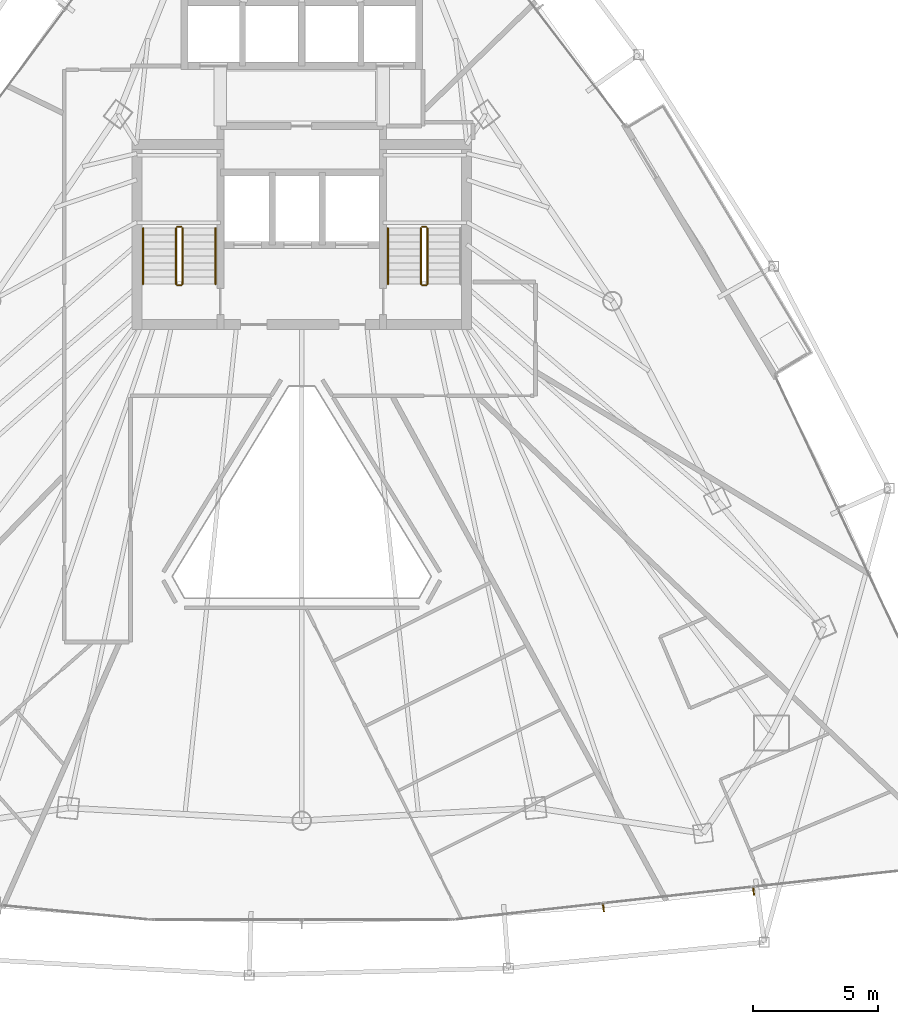
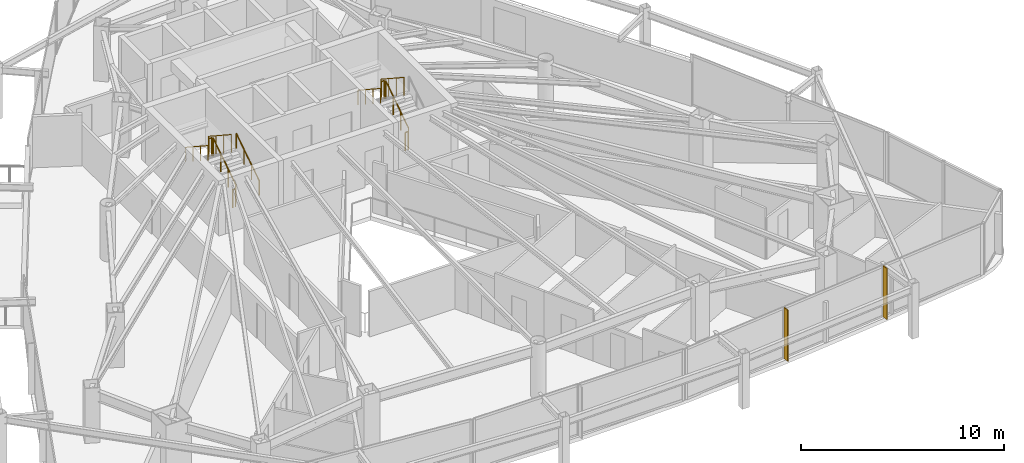
# One storey, part 30 of 31: 11 railings, 2 shading devices.
"""IFC4 building model written with IfcOpenShell, lengths in metres."""

from ifc_helpers import new_model, si_unit, direction, frame, origin, origin_2d, place, context, subcontext, project, spatial, rectangle, circle, extrude, material, layer, layer_set, type_object, element, save


model = new_model("IFC4")

# Units and contexts
model_context = context("Model", 3, precision=1e-05, world=origin(), true_north=direction((0.0, 1.0)))
body_context = subcontext(model_context, "Body", "Model", "MODEL_VIEW")
ifc_project = project(units=[si_unit("LENGTHUNIT", "METRE"), si_unit("AREAUNIT", "SQUARE_METRE"), si_unit("VOLUMEUNIT", "CUBIC_METRE"), si_unit("PLANEANGLEUNIT", "RADIAN"), si_unit("MASSUNIT", "GRAM", prefix="KILO")], contexts=[model_context])

# Site, building, storey
site_placement = place(None, origin())
site = spatial("IfcSite", under=ifc_project, at=site_placement, CompositionType="ELEMENT")
building_placement = place(site_placement, origin())
building = spatial("IfcBuilding", under=site, at=building_placement, Name="Orvanel Arch Residences", CompositionType="ELEMENT")
storey_placement = place(building_placement, frame((0.0, 0.0, 110.0)))
storey = spatial("IfcBuildingStorey", under=building, at=storey_placement, Name="L30", CompositionType="ELEMENT", Elevation=110.0)

# Shading devices
ifc_material_1 = material(Name="Bronze-anodised aluminium AA6063-T6", Category="aluminium")
ifc_layer = layer(ifc_material_1, 0.054931640625)
ifc_layer_set = layer_set([ifc_layer], Name="Bronze-anodised aluminium AA6063-T6")
shading_device_type = type_object("IfcShadingDeviceType", Name="FIN-BRZ-320", PredefinedType="USERDEFINED", material=ifc_layer_set)
for number, where, z_axis, x_axis, name in (
    (1, (45.073974609375, 3.35498046875, 0.0), (0.0, 0.0, 1.0), (0.109734311091, -0.993960955455, 0.0), "L30 Anodised Bronze Mullion FIN 01"),
    (2, (51.083984375, 4.014892578125, 0.0), (0.0, 0.0, 1.0), (0.109734311091, -0.993960955455, 0.0), "L30 Anodised Bronze Mullion FIN 02"),
):
    element("IfcShadingDevice", number, at=place(storey_placement, frame(where, z_axis=z_axis, x_axis=x_axis)), inside=storey, type_object=shading_device_type, Name=name, ObjectType="FIN", PredefinedType="USERDEFINED", context=body_context, shape_type="SweptSolid", body=[
        extrude(rectangle(XDim=0.320068359375, YDim=0.054931640625, at=origin_2d()), origin(), (0.0, 0.0, 1.0), 3.06005859375),
    ])

# Railings
ifc_material_2 = material(Name="Structural steel AS/NZS 1163 C350L0 (Grade 350)", Category="steel")
railing_type_1 = type_object("IfcRailingType", Name="RL-STAIR-GUARD", PredefinedType="GUARDRAIL", material=ifc_material_2)
railing_1_placement = place(storey_placement, frame((28.22998046875, 28.320068359375, 0.183349609375)))
element("IfcRailing", 3, at=railing_1_placement, inside=storey, type_object=railing_type_1, Name="L30 ST-1 stair guard 1", PredefinedType="GUARDRAIL", context=body_context, shape_type="SweptSolid", body=[
    extrude(circle(Radius=0.02392578125, at=origin_2d()), frame((0.0, 0.001220703125, 1.076904296875), z_axis=(0.0, 0.836636935527, 0.547757827979), x_axis=(-1.0, 0.0, 0.0)), (0.0, 0.0, 1.0), 2.67431640625),
    extrude(circle(Radius=0.02099609375, at=origin_2d()), origin(), (0.0, 0.0, 1.0), 1.050048828125),
    extrude(circle(Radius=0.02099609375, at=origin_2d()), frame((0.0, 0.74658203125, 0.48876953125)), (0.0, 0.0, 1.0), 1.050048828125),
    extrude(circle(Radius=0.02099609375, at=origin_2d()), frame((0.0, 1.493408203125, 0.977783203125)), (0.0, 0.0, 1.0), 1.050048828125),
    extrude(circle(Radius=0.02099609375, at=origin_2d()), frame((0.0, 2.239990234375, 1.466552734375)), (0.0, 0.0, 1.0), 1.050048828125),
])
railing_2_placement = place(storey_placement, frame((28.179931640625, 30.610107421875, 1.64990234375)))
element("IfcRailing", 4, at=railing_2_placement, inside=storey, type_object=railing_type_1, Name="L30 ST-1 stair guard 2", PredefinedType="GUARDRAIL", context=body_context, shape_type="SweptSolid", body=[
    extrude(circle(Radius=0.02392578125, at=origin_2d()), frame((-0.00146484375, 0.0, 1.076171875), z_axis=(-1.0, 0.0, 0.0), x_axis=(0.0, -1.0, 0.0)), (0.0, 0.0, 1.0), 0.156982421875),
    extrude(circle(Radius=0.02099609375, at=origin_2d()), origin(), (0.0, 0.0, 1.0), 1.050048828125),
    extrude(circle(Radius=0.02099609375, at=origin_2d()), frame((-0.159912109375, 0.0, 0.0)), (0.0, 0.0, 1.0), 1.050048828125),
])
railing_3_placement = place(storey_placement, frame((27.969970703125, 30.56005859375, 1.833251953125)))
element("IfcRailing", 5, at=railing_3_placement, inside=storey, type_object=railing_type_1, Name="L30 ST-1 stair guard 3", PredefinedType="GUARDRAIL", context=body_context, shape_type="SweptSolid", body=[
    extrude(circle(Radius=0.02392578125, at=origin_2d()), frame((0.0, -0.001220703125, 1.076904296875), z_axis=(0.0, -0.836595146698, 0.547821650285), x_axis=(1.0, 0.0, 0.0)), (0.0, 0.0, 1.0), 2.674560546875),
    extrude(circle(Radius=0.02099609375, at=origin_2d()), origin(), (0.0, 0.0, 1.0), 1.050048828125),
    extrude(circle(Radius=0.02099609375, at=origin_2d()), frame((0.0, -0.74658203125, 0.489013671875)), (0.0, 0.0, 1.0), 1.050048828125),
    extrude(circle(Radius=0.02099609375, at=origin_2d()), frame((0.0, -1.493408203125, 0.977783203125)), (0.0, 0.0, 1.0), 1.050048828125),
    extrude(circle(Radius=0.02099609375, at=origin_2d()), frame((0.0, -2.239990234375, 1.466796875)), (0.0, 0.0, 1.0), 1.050048828125),
])
railing_4_placement = place(storey_placement, frame((28.179931640625, 28.27001953125, 0.0)))
element("IfcRailing", 6, at=railing_4_placement, inside=storey, type_object=railing_type_1, Name="L30 ST-1 stair guard 4", PredefinedType="GUARDRAIL", context=body_context, shape_type="SweptSolid", body=[
    extrude(circle(Radius=0.02392578125, at=origin_2d()), frame((-0.00146484375, 0.0, 1.076171875), z_axis=(-1.0, 0.0, 0.0), x_axis=(0.0, -1.0, 0.0)), (0.0, 0.0, 1.0), 0.156982421875),
    extrude(circle(Radius=0.02099609375, at=origin_2d()), origin(), (0.0, 0.0, 1.0), 1.050048828125),
    extrude(circle(Radius=0.02099609375, at=origin_2d()), frame((-0.159912109375, 0.0, 0.0)), (0.0, 0.0, 1.0), 1.050048828125),
])
railing_5_placement = place(storey_placement, frame((38.030029296875, 28.320068359375, 0.183349609375)))
element("IfcRailing", 7, at=railing_5_placement, inside=storey, type_object=railing_type_1, Name="L30 ST-2 stair guard 1", PredefinedType="GUARDRAIL", context=body_context, shape_type="SweptSolid", body=[
    extrude(circle(Radius=0.02392578125, at=origin_2d()), frame((0.0, 0.001220703125, 1.076904296875), z_axis=(0.0, 0.836636935527, 0.547757827979), x_axis=(-1.0, 0.0, 0.0)), (0.0, 0.0, 1.0), 2.67431640625),
    extrude(circle(Radius=0.02099609375, at=origin_2d()), origin(), (0.0, 0.0, 1.0), 1.050048828125),
    extrude(circle(Radius=0.02099609375, at=origin_2d()), frame((0.0, 0.74658203125, 0.48876953125)), (0.0, 0.0, 1.0), 1.050048828125),
    extrude(circle(Radius=0.02099609375, at=origin_2d()), frame((0.0, 1.493408203125, 0.977783203125)), (0.0, 0.0, 1.0), 1.050048828125),
    extrude(circle(Radius=0.02099609375, at=origin_2d()), frame((0.0, 2.239990234375, 1.466552734375)), (0.0, 0.0, 1.0), 1.050048828125),
])
railing_6_placement = place(storey_placement, frame((37.97998046875, 30.610107421875, 1.64990234375)))
element("IfcRailing", 8, at=railing_6_placement, inside=storey, type_object=railing_type_1, Name="L30 ST-2 stair guard 2", PredefinedType="GUARDRAIL", context=body_context, shape_type="SweptSolid", body=[
    extrude(circle(Radius=0.02392578125, at=origin_2d()), frame((-0.00146484375, 0.0, 1.076171875), z_axis=(-1.0, 0.0, 0.0), x_axis=(0.0, -1.0, 0.0)), (0.0, 0.0, 1.0), 0.156982421875),
    extrude(circle(Radius=0.02099609375, at=origin_2d()), origin(), (0.0, 0.0, 1.0), 1.050048828125),
    extrude(circle(Radius=0.02099609375, at=origin_2d()), frame((-0.159912109375, 0.0, 0.0)), (0.0, 0.0, 1.0), 1.050048828125),
])
railing_7_placement = place(storey_placement, frame((37.77001953125, 30.56005859375, 1.833251953125)))
element("IfcRailing", 9, at=railing_7_placement, inside=storey, type_object=railing_type_1, Name="L30 ST-2 stair guard 3", PredefinedType="GUARDRAIL", context=body_context, shape_type="SweptSolid", body=[
    extrude(circle(Radius=0.02392578125, at=origin_2d()), frame((0.0, -0.001220703125, 1.076904296875), z_axis=(0.0, -0.836595146698, 0.547821650285), x_axis=(1.0, 0.0, 0.0)), (0.0, 0.0, 1.0), 2.674560546875),
    extrude(circle(Radius=0.02099609375, at=origin_2d()), origin(), (0.0, 0.0, 1.0), 1.050048828125),
    extrude(circle(Radius=0.02099609375, at=origin_2d()), frame((0.0, -0.74658203125, 0.489013671875)), (0.0, 0.0, 1.0), 1.050048828125),
    extrude(circle(Radius=0.02099609375, at=origin_2d()), frame((0.0, -1.493408203125, 0.977783203125)), (0.0, 0.0, 1.0), 1.050048828125),
    extrude(circle(Radius=0.02099609375, at=origin_2d()), frame((0.0, -2.239990234375, 1.466796875)), (0.0, 0.0, 1.0), 1.050048828125),
])
railing_8_placement = place(storey_placement, frame((37.97998046875, 28.27001953125, 0.0)))
element("IfcRailing", 10, at=railing_8_placement, inside=storey, type_object=railing_type_1, Name="L30 ST-2 stair guard 4", PredefinedType="GUARDRAIL", context=body_context, shape_type="SweptSolid", body=[
    extrude(circle(Radius=0.02392578125, at=origin_2d()), frame((-0.00146484375, 0.0, 1.076171875), z_axis=(-1.0, 0.0, 0.0), x_axis=(0.0, -1.0, 0.0)), (0.0, 0.0, 1.0), 0.156982421875),
    extrude(circle(Radius=0.02099609375, at=origin_2d()), origin(), (0.0, 0.0, 1.0), 1.050048828125),
    extrude(circle(Radius=0.02099609375, at=origin_2d()), frame((-0.159912109375, 0.0, 0.0)), (0.0, 0.0, 1.0), 1.050048828125),
])
railing_type_2 = type_object("IfcRailingType", Name="RL-STAIR-HAND", PredefinedType="HANDRAIL", material=ifc_material_2)
railing_9_placement = place(storey_placement, frame((29.550048828125, 28.320068359375, 0.183349609375)))
element("IfcRailing", 11, at=railing_9_placement, inside=storey, type_object=railing_type_2, Name="L30 ST-1 stair handrail 1", PredefinedType="HANDRAIL", context=body_context, shape_type="SweptSolid", body=[
    extrude(circle(Radius=0.02392578125, at=origin_2d()), frame((0.0, 0.001220703125, 0.876708984375), z_axis=(0.0, 0.836636935527, 0.547757827979), x_axis=(-1.0, 0.0, 0.0)), (0.0, 0.0, 1.0), 2.67431640625),
    extrude(circle(Radius=0.02099609375, at=origin_2d()), origin(), (0.0, 0.0, 1.0), 0.849853515625),
    extrude(circle(Radius=0.02099609375, at=origin_2d()), frame((0.0, 0.74658203125, 0.48876953125)), (0.0, 0.0, 1.0), 0.849853515625),
    extrude(circle(Radius=0.02099609375, at=origin_2d()), frame((0.0, 1.493408203125, 0.977783203125)), (0.0, 0.0, 1.0), 0.849853515625),
    extrude(circle(Radius=0.02099609375, at=origin_2d()), frame((0.0, 2.239990234375, 1.466552734375)), (0.0, 0.0, 1.0), 0.849853515625),
])
for number, where, name in (
    (12, (26.64990234375, 30.56005859375, 1.833251953125), "L30 ST-1 stair handrail 2"),
    (13, (36.449951171875, 30.56005859375, 1.833251953125), "L30 ST-2 stair handrail 2"),
):
    element("IfcRailing", number, at=place(storey_placement, frame(where)), inside=storey, type_object=railing_type_2, Name=name, PredefinedType="HANDRAIL", context=body_context, shape_type="SweptSolid", body=[
        extrude(circle(Radius=0.02392578125, at=origin_2d()), frame((0.0, -0.001220703125, 0.876708984375), z_axis=(0.0, -0.836595146698, 0.547821650285), x_axis=(1.0, 0.0, 0.0)), (0.0, 0.0, 1.0), 2.674560546875),
        extrude(circle(Radius=0.02099609375, at=origin_2d()), origin(), (0.0, 0.0, 1.0), 0.849853515625),
        extrude(circle(Radius=0.02099609375, at=origin_2d()), frame((0.0, -0.74658203125, 0.489013671875)), (0.0, 0.0, 1.0), 0.849853515625),
        extrude(circle(Radius=0.02099609375, at=origin_2d()), frame((0.0, -1.493408203125, 0.977783203125)), (0.0, 0.0, 1.0), 0.849853515625),
        extrude(circle(Radius=0.02099609375, at=origin_2d()), frame((0.0, -2.239990234375, 1.466796875)), (0.0, 0.0, 1.0), 0.849853515625),
    ])

save(model, "model.ifc")
